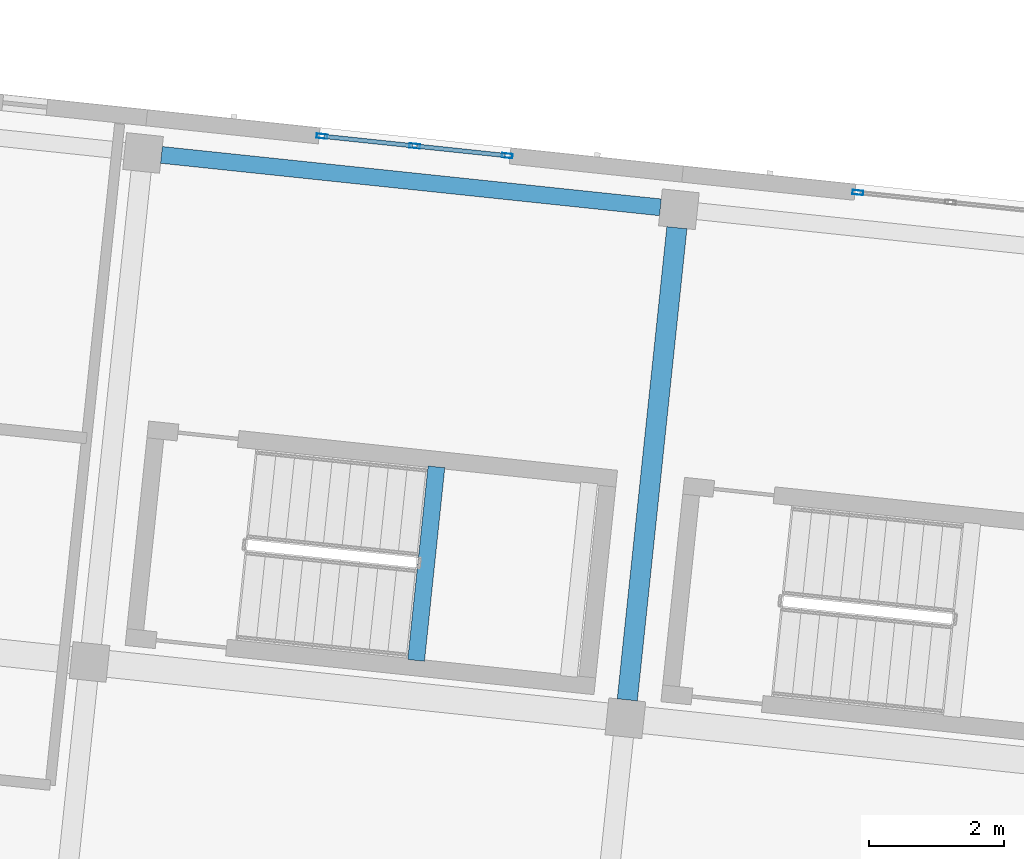
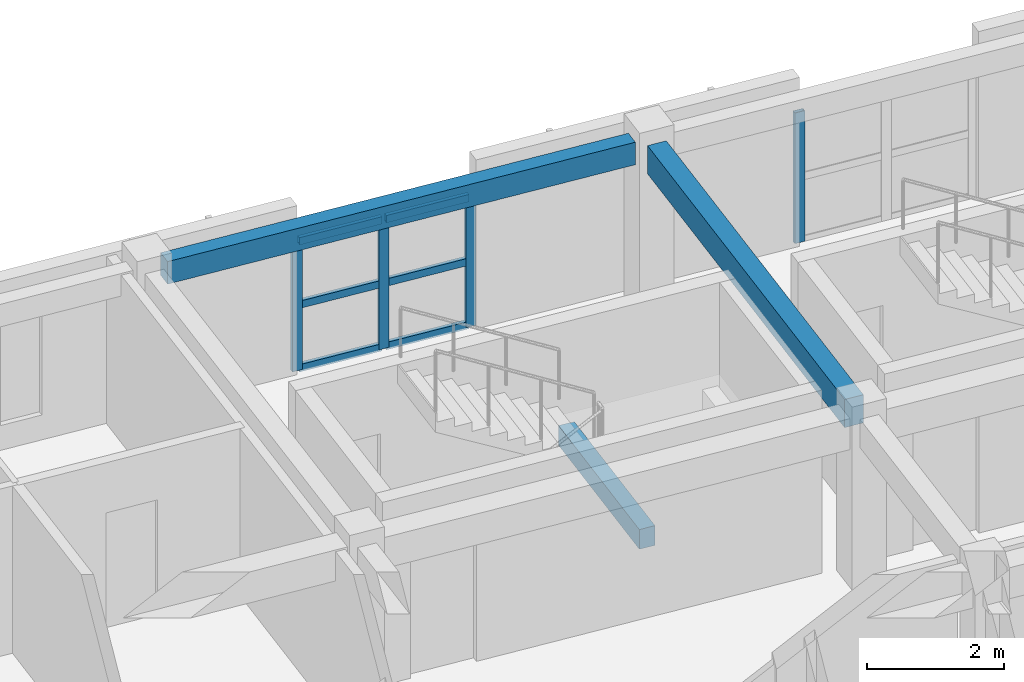
# One storey, part 14 of 68: 10 members, 3 beams, 2 elements without a shape of their own.
"""IFC4 building model written with IfcOpenShell, lengths in metres."""

from ifc_helpers import new_model, si_unit, direction, frame, origin, origin_2d, place, context, subcontext, project, spatial, rectangle, hollow_rectangle, extrude, material, material_profile, profile_set, type_object, element, aggregate, save


model = new_model("IFC4")

# Units and contexts
model_context = context("Model", 3, precision=1e-05, world=origin(), true_north=direction((0.0, 1.0)))
body_context = subcontext(model_context, "Body", "Model", "MODEL_VIEW")
ifc_project = project(units=[si_unit("LENGTHUNIT", "METRE"), si_unit("AREAUNIT", "SQUARE_METRE"), si_unit("VOLUMEUNIT", "CUBIC_METRE"), si_unit("PLANEANGLEUNIT", "RADIAN"), si_unit("MASSUNIT", "GRAM", prefix="KILO")], contexts=[model_context])

# Site, building, storey
site_placement = place(None, origin())
site = spatial("IfcSite", under=ifc_project, at=site_placement, CompositionType="ELEMENT")
building_placement = place(site_placement, origin())
building = spatial("IfcBuilding", under=site, at=building_placement, Name="Kestramere Prow Commons", CompositionType="ELEMENT")
storey_placement = place(building_placement, frame((0.0, 0.0, 18.14990234375)))
storey = spatial("IfcBuildingStorey", under=building, at=storey_placement, Name="L05", CompositionType="ELEMENT", Elevation=18.14990234375)

# Beams
ifc_material_1 = material(Name="Concrete C40/50", Category="concrete")
ifc_material_profile_1 = material_profile(ifc_material_1, rectangle(XDim=0.25, YDim=0.35009765625, at=origin_2d()), Name="PC-BM 250x350")
ifc_profile_set_1 = profile_set([ifc_material_profile_1], Name="Concrete C40/50")
beam_type_1 = type_object("IfcBeamType", Name="BM-ST-TRIM", PredefinedType="BEAM", material=ifc_profile_set_1)
beam_1_placement = place(storey_placement, frame((139.971923828125, 104.248779296875, 1.25), z_axis=(0.104495697268, 0.994525338668, 0.0), x_axis=(-0.994525338668, 0.104495697268, 0.0)))
element("IfcBeam", 1, at=beam_1_placement, inside=storey, type_object=beam_type_1, Name="ST-B1 L05 Landing Trimmer Beam 1A", PredefinedType="BEAM", context=body_context, shape_type="SweptSolid", body=[
    extrude(rectangle(XDim=0.25, YDim=0.35009765625, at=origin_2d()), origin(), (0.0, 0.0, 1.0), 2.89013671875),
])
ifc_material_2 = material(Name="Precast concrete C40/50", Category="concrete")
ifc_material_profile_2 = material_profile(ifc_material_2, rectangle(XDim=0.300048828125, YDim=0.5, at=origin_2d()), Name="PC-BM 300x500")
ifc_profile_set_2 = profile_set([ifc_material_profile_2], Name="Precast concrete C40/50")
beam_type_2 = type_object("IfcBeamType", Name="BM-TIE-01 PC-BM 300x500", PredefinedType="BEAM", material=ifc_profile_set_2)
beam_2_placement = place(storey_placement, frame((143.107666015625, 103.662841796875, 2.75), z_axis=(0.104545981508, 0.994520053971, 0.0), x_axis=(-0.994520053971, 0.104545981508, 0.0)))
element("IfcBeam", 2, at=beam_2_placement, inside=storey, type_object=beam_type_2, Name="Block B L05 Transverse Beam 5-3", PredefinedType="BEAM", context=body_context, shape_type="SweptSolid", body=[
    extrude(rectangle(XDim=0.300048828125, YDim=0.5, at=origin_2d()), origin(), (0.0, 0.0, 1.0), 7.050048828125),
])

# Curtain wall, members
ifc_material_3 = material(Name="Anodised Aluminium and Low-E Glass", Category="aluminium")
curtain_wall_type = type_object("IfcCurtainWallType", Name="CW-03 Glazed Curtain Wall 2830x2320", PredefinedType="USERDEFINED", material=ifc_material_3)
curtain_wall_1_placement = place(storey_placement, origin())
curtain_wall_1 = element("IfcCurtainWall", 3, at=curtain_wall_1_placement, inside=storey, type_object=curtain_wall_type, Name="Block B L05 Stairwell Vertical Glazing 4", ObjectType="GLAZED CURTAIN WALL", PredefinedType="USERDEFINED")
ifc_material_4 = material(Name="Anodised Aluminium 6063-T6", Category="aluminium")
ifc_material_profile_3 = material_profile(ifc_material_4, hollow_rectangle(XDim=0.06494140625, YDim=0.159912109375, WallThickness=0.00390625, at=origin_2d()), Name="ALU-MUL 65x160")
ifc_profile_set_3 = profile_set([ifc_material_profile_3], Name="Anodised Aluminium 6063-T6")
member_type_1 = type_object("IfcMemberType", Name="CW-MUL-65x160", PredefinedType="MULLION", material=ifc_profile_set_3)
member_1_placement = place(storey_placement, frame((138.575439453125, 112.032470703125, 0.0), z_axis=(0.0, 0.0, 1.0), x_axis=(0.104528618845, 0.994521879016, 0.0)))
member_1 = element("IfcMember", 4, at=member_1_placement, type_object=member_type_1, Name="CW-03 mullion 1", PredefinedType="MULLION", context=body_context, shape_type="SweptSolid", body=[
    extrude(hollow_rectangle(XDim=0.06494140625, YDim=0.159912109375, WallThickness=0.00390625, at=origin_2d()), origin(), (0.0, 0.0, 1.0), 2.320068359375),
])
member_2_placement = place(storey_placement, frame((139.9501953125, 111.887939453125, 0.0), z_axis=(0.0, 0.0, 1.0), x_axis=(0.104528618845, 0.994521879016, 0.0)))
member_2 = element("IfcMember", 5, at=member_2_placement, type_object=member_type_1, Name="CW-03 mullion 2", PredefinedType="MULLION", context=body_context, shape_type="SweptSolid", body=[
    extrude(hollow_rectangle(XDim=0.06494140625, YDim=0.159912109375, WallThickness=0.00390625, at=origin_2d()), origin(), (0.0, 0.0, 1.0), 2.320068359375),
])
member_3_placement = place(storey_placement, frame((141.3251953125, 111.743408203125, 0.0), z_axis=(0.0, 0.0, 1.0), x_axis=(0.104528618845, 0.994521879016, 0.0)))
member_3 = element("IfcMember", 6, at=member_3_placement, type_object=member_type_1, Name="CW-03 mullion 3", PredefinedType="MULLION", context=body_context, shape_type="SweptSolid", body=[
    extrude(hollow_rectangle(XDim=0.06494140625, YDim=0.159912109375, WallThickness=0.00390625, at=origin_2d()), origin(), (0.0, 0.0, 1.0), 2.320068359375),
])

# Curtain wall, member
curtain_wall_2_placement = place(storey_placement, origin())
curtain_wall_2 = element("IfcCurtainWall", 7, at=curtain_wall_2_placement, inside=storey, type_object=curtain_wall_type, Name="Block B L05 Stairwell Vertical Glazing 5", ObjectType="GLAZED CURTAIN WALL", PredefinedType="USERDEFINED")
member_4_placement = place(storey_placement, frame((146.531494140625, 111.1962890625, 0.0), z_axis=(0.0, 0.0, 1.0), x_axis=(0.104528269348, 0.99452191575, 0.0)))
member_4 = element("IfcMember", 8, at=member_4_placement, type_object=member_type_1, Name="CW-03 mullion 1", PredefinedType="MULLION", context=body_context, shape_type="SweptSolid", body=[
    extrude(hollow_rectangle(XDim=0.06494140625, YDim=0.159912109375, WallThickness=0.00390625, at=origin_2d()), origin(), (0.0, 0.0, 1.0), 2.320068359375),
])
aggregate(curtain_wall_2, [member_4])

# Member
ifc_material_profile_4 = material_profile(ifc_material_4, hollow_rectangle(XDim=0.06494140625, YDim=0.1298828125, WallThickness=0.00390625, at=origin_2d()), Name="ALU-TRN 65x130")
ifc_profile_set_4 = profile_set([ifc_material_profile_4], Name="Anodised Aluminium 6063-T6")
member_type_2 = type_object("IfcMemberType", Name="CW-TRN-65x130", PredefinedType="USERDEFINED", material=ifc_profile_set_4)
member_5_placement = place(storey_placement, frame((138.607666015625, 112.029052734375, 0.03271484375), z_axis=(0.994523714271, -0.104511156111, 0.0), x_axis=(0.104511156111, 0.994523714271, 0.0)))
member_5 = element("IfcMember", 9, at=member_5_placement, type_object=member_type_2, Name="CW-03 transom 1.1", ObjectType="TRANSOM", PredefinedType="USERDEFINED", context=body_context, shape_type="SweptSolid", body=[
    extrude(hollow_rectangle(XDim=0.06494140625, YDim=0.1298828125, WallThickness=0.00390625, at=origin_2d()), origin(), (0.0, 0.0, 1.0), 1.317626953125),
])

member_6_placement = place(storey_placement, frame((138.607666015625, 112.029052734375, 1.16015625), z_axis=(0.994523714271, -0.104511156111, 0.0), x_axis=(0.104511156111, 0.994523714271, 0.0)))
member_6 = element("IfcMember", 10, at=member_6_placement, type_object=member_type_2, Name="CW-03 transom 1.2", ObjectType="TRANSOM", PredefinedType="USERDEFINED", context=body_context, shape_type="SweptSolid", body=[
    extrude(hollow_rectangle(XDim=0.06494140625, YDim=0.1298828125, WallThickness=0.00390625, at=origin_2d()), origin(), (0.0, 0.0, 1.0), 1.317626953125),
])

member_7_placement = place(storey_placement, frame((138.607666015625, 112.029052734375, 2.28759765625), z_axis=(0.994523714271, -0.104511156111, 0.0), x_axis=(0.104511156111, 0.994523714271, 0.0)))
member_7 = element("IfcMember", 11, at=member_7_placement, type_object=member_type_2, Name="CW-03 transom 1.3", ObjectType="TRANSOM", PredefinedType="USERDEFINED", context=body_context, shape_type="SweptSolid", body=[
    extrude(hollow_rectangle(XDim=0.06494140625, YDim=0.1298828125, WallThickness=0.00390625, at=origin_2d()), origin(), (0.0, 0.0, 1.0), 1.317626953125),
])

member_8_placement = place(storey_placement, frame((139.982666015625, 111.884521484375, 0.03271484375), z_axis=(0.994523714271, -0.104511156111, 0.0), x_axis=(0.104511156111, 0.994523714271, 0.0)))
member_8 = element("IfcMember", 12, at=member_8_placement, type_object=member_type_2, Name="CW-03 transom 2.1", ObjectType="TRANSOM", PredefinedType="USERDEFINED", context=body_context, shape_type="SweptSolid", body=[
    extrude(hollow_rectangle(XDim=0.06494140625, YDim=0.1298828125, WallThickness=0.00390625, at=origin_2d()), origin(), (0.0, 0.0, 1.0), 1.317626953125),
])

member_9_placement = place(storey_placement, frame((139.982666015625, 111.884521484375, 1.16015625), z_axis=(0.994523714271, -0.104511156111, 0.0), x_axis=(0.104511156111, 0.994523714271, 0.0)))
member_9 = element("IfcMember", 13, at=member_9_placement, type_object=member_type_2, Name="CW-03 transom 2.2", ObjectType="TRANSOM", PredefinedType="USERDEFINED", context=body_context, shape_type="SweptSolid", body=[
    extrude(hollow_rectangle(XDim=0.06494140625, YDim=0.1298828125, WallThickness=0.00390625, at=origin_2d()), origin(), (0.0, 0.0, 1.0), 1.317626953125),
])

member_10_placement = place(storey_placement, frame((139.982666015625, 111.884521484375, 2.28759765625), z_axis=(0.994523714271, -0.104511156111, 0.0), x_axis=(0.104511156111, 0.994523714271, 0.0)))
member_10 = element("IfcMember", 14, at=member_10_placement, type_object=member_type_2, Name="CW-03 transom 2.3", ObjectType="TRANSOM", PredefinedType="USERDEFINED", context=body_context, shape_type="SweptSolid", body=[
    extrude(hollow_rectangle(XDim=0.06494140625, YDim=0.1298828125, WallThickness=0.00390625, at=origin_2d()), origin(), (0.0, 0.0, 1.0), 1.317626953125),
])

aggregate(curtain_wall_1, [member_1, member_2, member_3, member_5, member_6, member_7, member_8, member_9, member_10])

# Beam
ifc_material_profile_5 = material_profile(ifc_material_2, rectangle(XDim=0.25, YDim=0.39990234375, at=origin_2d()), Name="PC-SP 250x400")
ifc_profile_set_5 = profile_set([ifc_material_profile_5], Name="Precast concrete C40/50")
beam_type_3 = type_object("IfcBeamType", Name="SP-EXT-01 PC-SP 250x400", PredefinedType="SPANDREL", material=ifc_profile_set_5)
beam_3_placement = place(storey_placement, frame((136.190673828125, 111.755126953125, 2.800048828125), z_axis=(0.994524291149, -0.104505666419, 0.0), x_axis=(0.104505666419, 0.994524291149, 0.0)))
element("IfcBeam", 15, at=beam_3_placement, inside=storey, type_object=beam_type_3, Name="Block B L05 Longitudinal Beam 4-4", PredefinedType="SPANDREL", context=body_context, shape_type="SweptSolid", body=[
    extrude(rectangle(XDim=0.25, YDim=0.39990234375, at=origin_2d()), origin(), (0.0, 0.0, 1.0), 7.449951171875),
])

save(model, "model.ifc")
